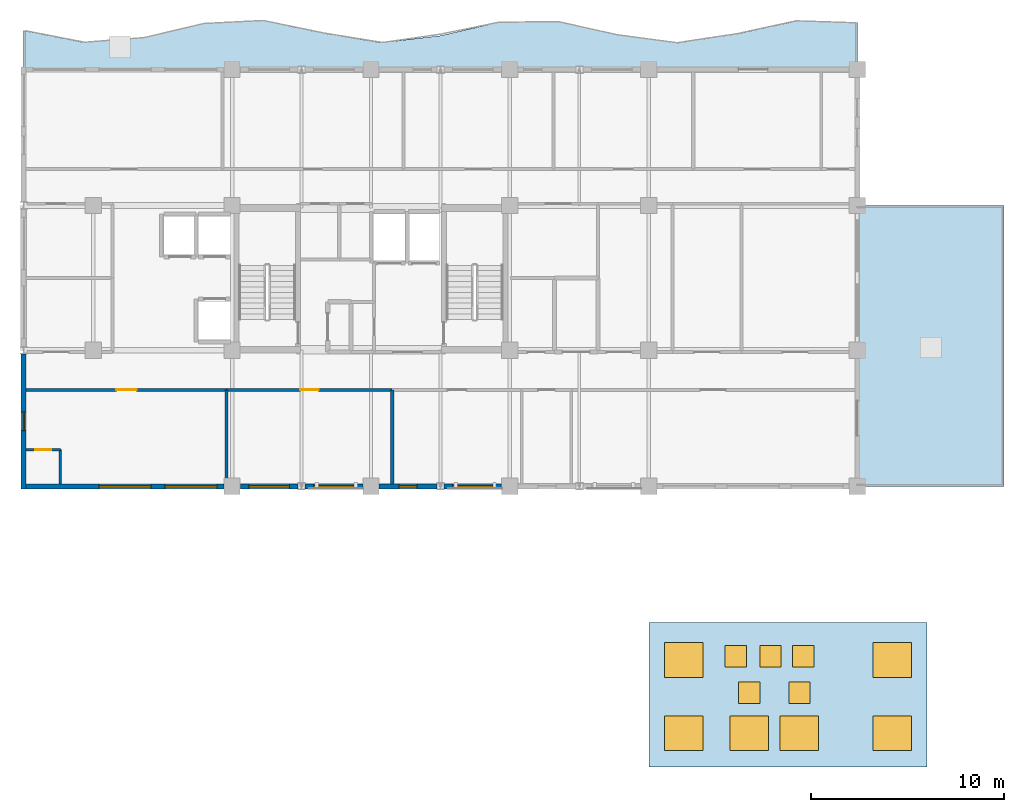
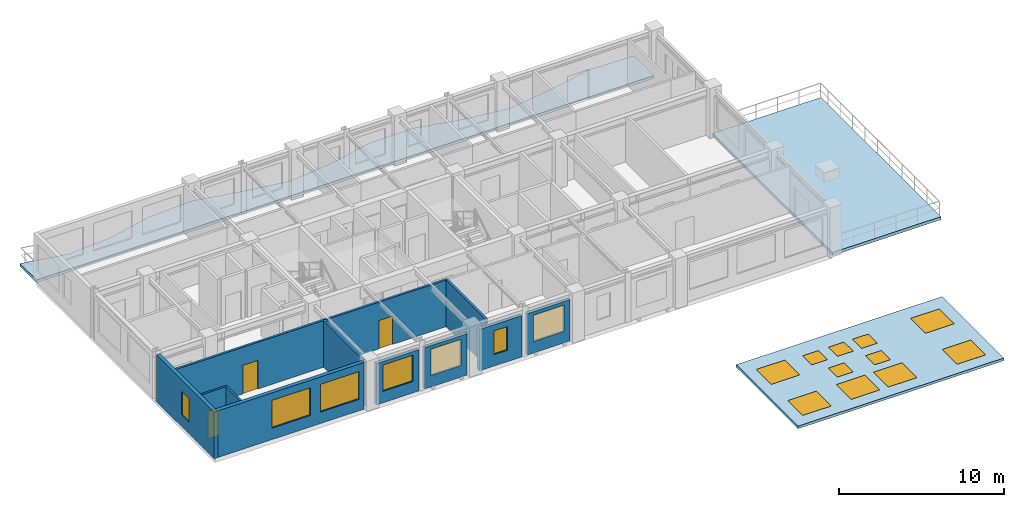
# One storey, part 2 of 8: 18 windows, 12 walls, 3 doors, 3 slabs, 21 openings.
"""IFC4 building model written with IfcOpenShell, lengths in metres."""

from ifc_helpers import new_model, si_unit, direction, frame, frame_2d, origin, origin_2d, place, context, subcontext, project, spatial, polyline, rectangle, outline, extrude, material, layer, layer_set, type_object, element, fill, save


model = new_model("IFC4")

# Units and contexts
model_context = context("Model", 3, precision=1e-05, world=origin(), true_north=direction((0.0, 1.0)))
body_context = subcontext(model_context, "Body", "Model", "MODEL_VIEW")
ifc_project = project(units=[si_unit("LENGTHUNIT", "METRE"), si_unit("AREAUNIT", "SQUARE_METRE"), si_unit("VOLUMEUNIT", "CUBIC_METRE"), si_unit("PLANEANGLEUNIT", "RADIAN"), si_unit("MASSUNIT", "GRAM", prefix="KILO")], contexts=[model_context])

# Site, building, storey
site_placement = place(None, origin())
site = spatial("IfcSite", under=ifc_project, at=site_placement, CompositionType="ELEMENT")
building_placement = place(site_placement, origin())
building = spatial("IfcBuilding", under=site, at=building_placement, Name="Kaliganga Portal Commons", CompositionType="ELEMENT")
storey_placement = place(building_placement, frame((0.0, 0.0, 249.89990234375)))
storey = spatial("IfcBuildingStorey", under=building, at=storey_placement, Name="L64", CompositionType="ELEMENT", Elevation=249.89990234375)

# Slab
ifc_material_1 = material(Name="Concrete C40/50", Category="concrete")
ifc_layer_1 = layer(ifc_material_1, 0.2099609375)
ifc_layer_set_1 = layer_set([ifc_layer_1], Name="Concrete C40/50")
slab_type_1 = type_object("IfcSlabType", Name="SLB-BALC-210", PredefinedType="FLOOR", material=ifc_layer_set_1)
slab_1_placement = place(storey_placement, frame((0.0, 0.0, -0.2099609375)))
element("IfcSlab", 1, at=slab_1_placement, inside=storey, type_object=slab_type_1, Name="Scalloped Tree-Planter Balcony Slab L64 balc_north", PredefinedType="FLOOR", context=body_context, shape_type="SweptSolid", body=[
    extrude(outline(polyline([(46.800048828125, 43.199951171875), (46.800048828125, 45.62158203125), (43.71435546875, 45.723388671875), (40.628662109375, 45.052734375), (37.54296875, 44.582763671875), (34.45703125, 44.9951171875), (31.371337890625, 45.691650390625), (28.28564453125, 45.662109375), (25.199951171875, 44.94921875), (22.1142578125, 44.587158203125), (19.028564453125, 45.10107421875), (15.94287109375, 45.74560546875), (12.857177734375, 45.58544921875), (9.771484375, 44.853271484375), (6.685791015625, 44.611083984375), (3.60009765625, 45.210205078125), (3.60009765625, 43.199951171875), (46.800048828125, 43.199951171875)])), origin(), (0.0, 0.0, 1.0), 0.2099609375),
])

# Slab, openings, windows
ifc_layer_2 = layer(ifc_material_1, 0.18994140625)
ifc_layer_set_2 = layer_set([ifc_layer_2], Name="Concrete C40/50")
slab_type_2 = type_object("IfcSlabType", Name="SLB-CANOPY-190", PredefinedType="ROOF", material=ifc_layer_set_2)
slab_2_placement = place(storey_placement, frame((0.0, 0.0, -0.419921875)))
slab_2 = element("IfcSlab", 2, at=slab_2_placement, inside=storey, type_object=slab_type_2, Name="Wing B Setback Core Roof Slab L64", PredefinedType="ROOF", context=body_context, shape_type="SweptSolid", body=[
    extrude(outline(polyline([(36.0, 7.050048828125), (50.39990234375, 7.050048828125), (50.39990234375, 14.550048828125), (36.0, 14.550048828125), (36.0, 7.050048828125)]), holes=[polyline([(36.800048828125, 7.89990234375), (36.800048828125, 9.699951171875), (38.800048828125, 9.699951171875), (38.800048828125, 7.89990234375), (36.800048828125, 7.89990234375)]), polyline([(36.800048828125, 11.699951171875), (36.800048828125, 13.5), (38.800048828125, 13.5), (38.800048828125, 11.699951171875), (36.800048828125, 11.699951171875)]), polyline([(40.199951171875, 7.89990234375), (40.199951171875, 9.699951171875), (42.199951171875, 9.699951171875), (42.199951171875, 7.89990234375), (40.199951171875, 7.89990234375)]), polyline([(42.800048828125, 7.89990234375), (42.800048828125, 9.699951171875), (44.800048828125, 9.699951171875), (44.800048828125, 7.89990234375), (42.800048828125, 7.89990234375)]), polyline([(47.60009765625, 7.89990234375), (47.60009765625, 9.699951171875), (49.60009765625, 9.699951171875), (49.60009765625, 7.89990234375), (47.60009765625, 7.89990234375)]), polyline([(47.60009765625, 11.699951171875), (47.60009765625, 13.5), (49.60009765625, 13.5), (49.60009765625, 11.699951171875), (47.60009765625, 11.699951171875)]), polyline([(39.949951171875, 12.25), (39.949951171875, 13.35009765625), (41.050048828125, 13.35009765625), (41.050048828125, 12.25), (39.949951171875, 12.25)]), polyline([(41.75, 12.25), (41.75, 13.35009765625), (42.85009765625, 13.35009765625), (42.85009765625, 12.25), (41.75, 12.25)]), polyline([(43.449951171875, 12.25), (43.449951171875, 13.35009765625), (44.550048828125, 13.35009765625), (44.550048828125, 12.25), (43.449951171875, 12.25)]), polyline([(40.64990234375, 10.35009765625), (40.64990234375, 11.449951171875), (41.75, 11.449951171875), (41.75, 10.35009765625), (40.64990234375, 10.35009765625)]), polyline([(43.25, 10.35009765625), (43.25, 11.449951171875), (44.35009765625, 11.449951171875), (44.35009765625, 10.35009765625), (43.25, 10.35009765625)])]), origin(), (0.0, 0.0, 1.0), 0.18994140625),
])
opening_1_placement = place(slab_2_placement, frame((37.800048828125, 8.800048828125, 0.0)))
opening_1 = element("IfcOpeningElement", 3, at=opening_1_placement, cuts=slab_2, Name="Opening SKL-01", PredefinedType="OPENING", context=body_context, shape_type="SweptSolid", body=[
    extrude(rectangle(XDim=2.0, YDim=1.800048828125, at=origin_2d()), origin(), (0.0, 0.0, 1.0), 0.18994140625),
])
opening_2_placement = place(slab_2_placement, frame((37.800048828125, 12.60009765625, 0.0)))
opening_2 = element("IfcOpeningElement", 4, at=opening_2_placement, cuts=slab_2, Name="Opening SKL-01", PredefinedType="OPENING", context=body_context, shape_type="SweptSolid", body=[
    extrude(rectangle(XDim=2.0, YDim=1.800048828125, at=origin_2d()), origin(), (0.0, 0.0, 1.0), 0.18994140625),
])
opening_3_placement = place(slab_2_placement, frame((41.199951171875, 8.800048828125, 0.0)))
opening_3 = element("IfcOpeningElement", 5, at=opening_3_placement, cuts=slab_2, Name="Opening SKL-01", PredefinedType="OPENING", context=body_context, shape_type="SweptSolid", body=[
    extrude(rectangle(XDim=2.0, YDim=1.800048828125, at=origin_2d()), origin(), (0.0, 0.0, 1.0), 0.18994140625),
])
opening_4_placement = place(slab_2_placement, frame((43.800048828125, 8.800048828125, 0.0)))
opening_4 = element("IfcOpeningElement", 6, at=opening_4_placement, cuts=slab_2, Name="Opening SKL-01", PredefinedType="OPENING", context=body_context, shape_type="SweptSolid", body=[
    extrude(rectangle(XDim=2.0, YDim=1.800048828125, at=origin_2d()), origin(), (0.0, 0.0, 1.0), 0.18994140625),
])
opening_5_placement = place(slab_2_placement, frame((48.60009765625, 8.800048828125, 0.0)))
opening_5 = element("IfcOpeningElement", 7, at=opening_5_placement, cuts=slab_2, Name="Opening SKL-01", PredefinedType="OPENING", context=body_context, shape_type="SweptSolid", body=[
    extrude(rectangle(XDim=2.0, YDim=1.800048828125, at=origin_2d()), origin(), (0.0, 0.0, 1.0), 0.18994140625),
])
opening_6_placement = place(slab_2_placement, frame((48.60009765625, 12.60009765625, 0.0)))
opening_6 = element("IfcOpeningElement", 8, at=opening_6_placement, cuts=slab_2, Name="Opening SKL-01", PredefinedType="OPENING", context=body_context, shape_type="SweptSolid", body=[
    extrude(rectangle(XDim=2.0, YDim=1.800048828125, at=origin_2d()), origin(), (0.0, 0.0, 1.0), 0.18994140625),
])
opening_7_placement = place(slab_2_placement, frame((40.5, 12.800048828125, 0.0)))
opening_7 = element("IfcOpeningElement", 9, at=opening_7_placement, cuts=slab_2, Name="Opening RHT-01", PredefinedType="OPENING", context=body_context, shape_type="SweptSolid", body=[
    extrude(rectangle(XDim=1.10009765625, YDim=1.10009765625, at=origin_2d()), origin(), (0.0, 0.0, 1.0), 0.18994140625),
])
opening_8_placement = place(slab_2_placement, frame((42.300048828125, 12.800048828125, 0.0)))
opening_8 = element("IfcOpeningElement", 10, at=opening_8_placement, cuts=slab_2, Name="Opening RHT-01", PredefinedType="OPENING", context=body_context, shape_type="SweptSolid", body=[
    extrude(rectangle(XDim=1.10009765625, YDim=1.10009765625, at=origin_2d()), origin(), (0.0, 0.0, 1.0), 0.18994140625),
])
opening_9_placement = place(slab_2_placement, frame((44.0, 12.800048828125, 0.0)))
opening_9 = element("IfcOpeningElement", 11, at=opening_9_placement, cuts=slab_2, Name="Opening RHT-01", PredefinedType="OPENING", context=body_context, shape_type="SweptSolid", body=[
    extrude(rectangle(XDim=1.10009765625, YDim=1.10009765625, at=origin_2d()), origin(), (0.0, 0.0, 1.0), 0.18994140625),
])
opening_10_placement = place(slab_2_placement, frame((41.199951171875, 10.89990234375, 0.0)))
opening_10 = element("IfcOpeningElement", 12, at=opening_10_placement, cuts=slab_2, Name="Opening RHT-01", PredefinedType="OPENING", context=body_context, shape_type="SweptSolid", body=[
    extrude(rectangle(XDim=1.10009765625, YDim=1.10009765625, at=origin_2d()), origin(), (0.0, 0.0, 1.0), 0.18994140625),
])
opening_11_placement = place(slab_2_placement, frame((43.800048828125, 10.89990234375, 0.0)))
opening_11 = element("IfcOpeningElement", 13, at=opening_11_placement, cuts=slab_2, Name="Opening RHT-01", PredefinedType="OPENING", context=body_context, shape_type="SweptSolid", body=[
    extrude(rectangle(XDim=1.10009765625, YDim=1.10009765625, at=origin_2d()), origin(), (0.0, 0.0, 1.0), 0.18994140625),
])
ifc_material_2 = material(Name="Thermally Broken Aluminium and Low-E Double Glazing", Category="aluminium")
window_type_1 = type_object("IfcWindowType", Name="WIN-ROOF-HATCH", PartitioningType="SINGLE_PANEL", PredefinedType="LIGHTDOME", material=ifc_material_2)
window_1_placement = place(opening_7_placement, frame((0.0, 0.0, 0.139892578125)))
window_1 = element("IfcWindow", 14, at=window_1_placement, inside=storey, type_object=window_type_1, Name="Wing B Roof Maintenance Access Hatch RHT-01", OverallHeight=1.10009765625, OverallWidth=1.10009765625, PartitioningType="SINGLE_PANEL", PredefinedType="LIGHTDOME", context=body_context, shape_type="SweptSolid", body=[
    extrude(rectangle(XDim=1.10009765625, YDim=1.10009765625, at=origin_2d()), origin(), (0.0, 0.0, 1.0), 0.050048828125),
])
fill(opening_7, window_1)
window_2_placement = place(opening_8_placement, frame((0.0, 0.0, 0.139892578125)))
window_2 = element("IfcWindow", 15, at=window_2_placement, inside=storey, type_object=window_type_1, Name="Wing B Roof Maintenance Access Hatch RHT-02", OverallHeight=1.10009765625, OverallWidth=1.10009765625, PartitioningType="SINGLE_PANEL", PredefinedType="LIGHTDOME", context=body_context, shape_type="SweptSolid", body=[
    extrude(rectangle(XDim=1.10009765625, YDim=1.10009765625, at=origin_2d()), origin(), (0.0, 0.0, 1.0), 0.050048828125),
])
fill(opening_8, window_2)
window_3_placement = place(opening_9_placement, frame((0.0, 0.0, 0.139892578125)))
window_3 = element("IfcWindow", 16, at=window_3_placement, inside=storey, type_object=window_type_1, Name="Wing B Roof Maintenance Access Hatch RHT-03", OverallHeight=1.10009765625, OverallWidth=1.10009765625, PartitioningType="SINGLE_PANEL", PredefinedType="LIGHTDOME", context=body_context, shape_type="SweptSolid", body=[
    extrude(rectangle(XDim=1.10009765625, YDim=1.10009765625, at=origin_2d()), origin(), (0.0, 0.0, 1.0), 0.050048828125),
])
fill(opening_9, window_3)
window_4_placement = place(opening_10_placement, frame((0.0, 0.0, 0.139892578125)))
window_4 = element("IfcWindow", 17, at=window_4_placement, inside=storey, type_object=window_type_1, Name="Wing B Roof Maintenance Access Hatch RHT-04", OverallHeight=1.10009765625, OverallWidth=1.10009765625, PartitioningType="SINGLE_PANEL", PredefinedType="LIGHTDOME", context=body_context, shape_type="SweptSolid", body=[
    extrude(rectangle(XDim=1.10009765625, YDim=1.10009765625, at=origin_2d()), origin(), (0.0, 0.0, 1.0), 0.050048828125),
])
fill(opening_10, window_4)
window_5_placement = place(opening_11_placement, frame((0.0, 0.0, 0.139892578125)))
window_5 = element("IfcWindow", 18, at=window_5_placement, inside=storey, type_object=window_type_1, Name="Wing B Roof Maintenance Access Hatch RHT-05", OverallHeight=1.10009765625, OverallWidth=1.10009765625, PartitioningType="SINGLE_PANEL", PredefinedType="LIGHTDOME", context=body_context, shape_type="SweptSolid", body=[
    extrude(rectangle(XDim=1.10009765625, YDim=1.10009765625, at=origin_2d()), origin(), (0.0, 0.0, 1.0), 0.050048828125),
])
fill(opening_11, window_5)
window_type_2 = type_object("IfcWindowType", Name="WIN-SKYLIGHT", PartitioningType="SINGLE_PANEL", PredefinedType="SKYLIGHT", material=ifc_material_2)
window_6_placement = place(opening_1_placement, frame((0.0, 0.0, 0.139892578125)))
window_6 = element("IfcWindow", 19, at=window_6_placement, inside=storey, type_object=window_type_2, Name="Wing B Atrium Skylight SKL-01", OverallHeight=1.800048828125, OverallWidth=2.0, PartitioningType="SINGLE_PANEL", PredefinedType="SKYLIGHT", context=body_context, shape_type="SweptSolid", body=[
    extrude(rectangle(XDim=2.0, YDim=1.800048828125, at=origin_2d()), origin(), (0.0, 0.0, 1.0), 0.050048828125),
])
fill(opening_1, window_6)
window_7_placement = place(opening_2_placement, frame((0.0, 0.0, 0.139892578125)))
window_7 = element("IfcWindow", 20, at=window_7_placement, inside=storey, type_object=window_type_2, Name="Wing B Atrium Skylight SKL-02", OverallHeight=1.800048828125, OverallWidth=2.0, PartitioningType="SINGLE_PANEL", PredefinedType="SKYLIGHT", context=body_context, shape_type="SweptSolid", body=[
    extrude(rectangle(XDim=2.0, YDim=1.800048828125, at=origin_2d()), origin(), (0.0, 0.0, 1.0), 0.050048828125),
])
fill(opening_2, window_7)
window_8_placement = place(opening_3_placement, frame((0.0, 0.0, 0.139892578125)))
window_8 = element("IfcWindow", 21, at=window_8_placement, inside=storey, type_object=window_type_2, Name="Wing B Atrium Skylight SKL-03", OverallHeight=1.800048828125, OverallWidth=2.0, PartitioningType="SINGLE_PANEL", PredefinedType="SKYLIGHT", context=body_context, shape_type="SweptSolid", body=[
    extrude(rectangle(XDim=2.0, YDim=1.800048828125, at=origin_2d()), origin(), (0.0, 0.0, 1.0), 0.050048828125),
])
fill(opening_3, window_8)
window_9_placement = place(opening_4_placement, frame((0.0, 0.0, 0.139892578125)))
window_9 = element("IfcWindow", 22, at=window_9_placement, inside=storey, type_object=window_type_2, Name="Wing B Atrium Skylight SKL-04", OverallHeight=1.800048828125, OverallWidth=2.0, PartitioningType="SINGLE_PANEL", PredefinedType="SKYLIGHT", context=body_context, shape_type="SweptSolid", body=[
    extrude(rectangle(XDim=2.0, YDim=1.800048828125, at=origin_2d()), origin(), (0.0, 0.0, 1.0), 0.050048828125),
])
fill(opening_4, window_9)
window_10_placement = place(opening_5_placement, frame((0.0, 0.0, 0.139892578125)))
window_10 = element("IfcWindow", 23, at=window_10_placement, inside=storey, type_object=window_type_2, Name="Wing B Atrium Skylight SKL-05", OverallHeight=1.800048828125, OverallWidth=2.0, PartitioningType="SINGLE_PANEL", PredefinedType="SKYLIGHT", context=body_context, shape_type="SweptSolid", body=[
    extrude(rectangle(XDim=2.0, YDim=1.800048828125, at=origin_2d()), origin(), (0.0, 0.0, 1.0), 0.050048828125),
])
fill(opening_5, window_10)
window_11_placement = place(opening_6_placement, frame((0.0, 0.0, 0.139892578125)))
window_11 = element("IfcWindow", 24, at=window_11_placement, inside=storey, type_object=window_type_2, Name="Wing B Atrium Skylight SKL-06", OverallHeight=1.800048828125, OverallWidth=2.0, PartitioningType="SINGLE_PANEL", PredefinedType="SKYLIGHT", context=body_context, shape_type="SweptSolid", body=[
    extrude(rectangle(XDim=2.0, YDim=1.800048828125, at=origin_2d()), origin(), (0.0, 0.0, 1.0), 0.050048828125),
])
fill(opening_6, window_11)

# Slab
ifc_layer_3 = layer(ifc_material_1, 0.219970703125)
ifc_layer_set_3 = layer_set([ifc_layer_3], Name="Concrete C40/50")
slab_type_3 = type_object("IfcSlabType", Name="SLB-TERR-220", PredefinedType="FLOOR", material=ifc_layer_set_3)
slab_3_placement = place(storey_placement, frame((0.0, 0.0, -0.219970703125)))
element("IfcSlab", 25, at=slab_3_placement, inside=storey, type_object=slab_type_3, Name="Wing B Sky-Garden Roof Terrace", PredefinedType="FLOOR", context=body_context, shape_type="SweptSolid", body=[
    extrude(outline(polyline([(46.800048828125, 21.60009765625), (54.39990234375, 21.60009765625), (54.39990234375, 36.14990234375), (46.800048828125, 36.14990234375), (46.800048828125, 21.60009765625)])), origin(), (0.0, 0.0, 1.0), 0.219970703125),
])

# Wall, openings, windows
ifc_material_3 = material(Name="Insulated Aluminium-Clad Spandrel Assembly", Category="aluminium")
ifc_layer_4 = layer(ifc_material_3, 0.260009765625)
ifc_layer_set_4 = layer_set([ifc_layer_4], Name="Insulated Aluminium-Clad Spandrel Assembly")
wall_type_1 = type_object("IfcWallType", Name="WL-EXT-SPAND-260", PredefinedType="STANDARD", material=ifc_layer_set_4)
wall_1_placement = place(storey_placement, frame((13.97412109375, 21.60009765625, 0.0), z_axis=(0.0, 0.0, 1.0), x_axis=(-1.0, 0.0, 0.0)))
wall_1 = element("IfcWall", 26, at=wall_1_placement, inside=storey, type_object=wall_type_1, Name="Exterior Envelope Wall L64 P1-E00-S1", PredefinedType="STANDARD", context=body_context, shape_type="SweptSolid", body=[
    extrude(rectangle(XDim=10.239013671875, YDim=0.260009765625, at=frame_2d((5.11962890625, 0.0))), origin(), (0.0, 0.0, 1.0), 3.455078125),
])
opening_12_placement = place(wall_1_placement, frame((0.3564453125, 0.0, 0.85009765625)))
opening_12 = element("IfcOpeningElement", 27, at=opening_12_placement, cuts=wall_1, Name="Opening W-07", PredefinedType="OPENING", context=body_context, shape_type="SweptSolid", body=[
    extrude(rectangle(XDim=2.699951171875, YDim=2.050048828125, at=frame_2d((1.35009765625, 1.02490234375))), frame((0.0, 0.14013671875, 0.0), z_axis=(0.0, -1.0, 0.0), x_axis=(1.0, 0.0, 0.0)), (0.0, 0.0, 1.0), 0.280029296875),
])
opening_13_placement = place(wall_1_placement, frame((3.76953125, 0.0, 0.85009765625)))
opening_13 = element("IfcOpeningElement", 28, at=opening_13_placement, cuts=wall_1, Name="Opening W-07", PredefinedType="OPENING", context=body_context, shape_type="SweptSolid", body=[
    extrude(rectangle(XDim=2.699951171875, YDim=2.050048828125, at=frame_2d((1.35009765625, 1.02490234375))), frame((0.0, 0.14013671875, 0.0), z_axis=(0.0, -1.0, 0.0), x_axis=(1.0, 0.0, 0.0)), (0.0, 0.0, 1.0), 0.280029296875),
])
window_type_3 = type_object("IfcWindowType", Name="WIN-LOUNGE-2700", PartitioningType="TRIPLE_PANEL_VERTICAL", PredefinedType="WINDOW", material=ifc_material_2)
window_12_placement = place(opening_12_placement, origin())
window_12 = element("IfcWindow", 29, at=window_12_placement, inside=storey, type_object=window_type_3, Name="Facade Window L64-P1E00S1-00", OverallHeight=2.050048828125, OverallWidth=2.699951171875, PartitioningType="SINGLE_PANEL", PredefinedType="WINDOW", context=body_context, shape_type="SweptSolid", body=[
    extrude(rectangle(XDim=2.699951171875, YDim=2.050048828125, at=frame_2d((1.35009765625, 1.02490234375))), frame((0.0, 0.030029296875, 0.0), z_axis=(0.0, -1.0, 0.0), x_axis=(1.0, 0.0, 0.0)), (0.0, 0.0, 1.0), 0.06005859375),
])
fill(opening_12, window_12)
window_13_placement = place(opening_13_placement, origin())
window_13 = element("IfcWindow", 30, at=window_13_placement, inside=storey, type_object=window_type_3, Name="Facade Window L64-P1E00S1-01", OverallHeight=2.050048828125, OverallWidth=2.699951171875, PartitioningType="SINGLE_PANEL", PredefinedType="WINDOW", context=body_context, shape_type="SweptSolid", body=[
    extrude(rectangle(XDim=2.699951171875, YDim=2.050048828125, at=frame_2d((1.35009765625, 1.02490234375))), frame((0.0, 0.030029296875, 0.0), z_axis=(0.0, -1.0, 0.0), x_axis=(1.0, 0.0, 0.0)), (0.0, 0.0, 1.0), 0.06005859375),
])
fill(opening_13, window_13)

# Wall, opening, window
wall_2_placement = place(storey_placement, frame((17.81201171875, 21.60009765625, 0.0), z_axis=(0.0, 0.0, 1.0), x_axis=(-1.0, 0.0, 0.0)))
wall_2 = element("IfcWall", 31, at=wall_2_placement, inside=storey, type_object=wall_type_1, Name="Exterior Envelope Wall L64 P1-E00-S2", PredefinedType="STANDARD", context=body_context, shape_type="SweptSolid", body=[
    extrude(rectangle(XDim=2.986083984375, YDim=0.260009765625, at=frame_2d((1.4931640625, 0.0))), origin(), (0.0, 0.0, 1.0), 3.05517578125),
])
opening_14_placement = place(wall_2_placement, frame((0.443115234375, 0.0, 0.85009765625)))
opening_14 = element("IfcOpeningElement", 32, at=opening_14_placement, cuts=wall_2, Name="Opening W-06", PredefinedType="OPENING", context=body_context, shape_type="SweptSolid", body=[
    extrude(rectangle(XDim=2.10009765625, YDim=1.949951171875, at=frame_2d((1.050048828125, 0.97509765625))), frame((0.0, 0.14013671875, 0.0), z_axis=(0.0, -1.0, 0.0), x_axis=(1.0, 0.0, 0.0)), (0.0, 0.0, 1.0), 0.280029296875),
])
window_type_4 = type_object("IfcWindowType", Name="WIN-PAN-2100", PartitioningType="DOUBLE_PANEL_VERTICAL", PredefinedType="WINDOW", material=ifc_material_2)
window_14_placement = place(opening_14_placement, origin())
window_14 = element("IfcWindow", 33, at=window_14_placement, inside=storey, type_object=window_type_4, Name="Facade Window L64-P1E00S2-00", OverallHeight=1.949951171875, OverallWidth=2.10009765625, PartitioningType="SINGLE_PANEL", PredefinedType="WINDOW", context=body_context, shape_type="SweptSolid", body=[
    extrude(rectangle(XDim=2.10009765625, YDim=1.949951171875, at=frame_2d((1.050048828125, 0.97509765625))), frame((0.0, 0.030029296875, 0.0), z_axis=(0.0, -1.0, 0.0), x_axis=(1.0, 0.0, 0.0)), (0.0, 0.0, 1.0), 0.06005859375),
])
fill(opening_14, window_14)

wall_3_placement = place(storey_placement, frame((21.174072265625, 21.60009765625, 0.0), z_axis=(0.0, 0.0, 1.0), x_axis=(-1.0, 0.0, 0.0)))
wall_3 = element("IfcWall", 34, at=wall_3_placement, inside=storey, type_object=wall_type_1, Name="Exterior Envelope Wall L64 P1-E00-S3", PredefinedType="STANDARD", context=body_context, shape_type="SweptSolid", body=[
    extrude(rectangle(XDim=2.986083984375, YDim=0.260009765625, at=frame_2d((1.4931640625, 0.0))), origin(), (0.0, 0.0, 1.0), 3.05517578125),
])
opening_15_placement = place(wall_3_placement, frame((0.443115234375, 0.0, 0.85009765625)))
opening_15 = element("IfcOpeningElement", 35, at=opening_15_placement, cuts=wall_3, Name="Opening W-06", PredefinedType="OPENING", context=body_context, shape_type="SweptSolid", body=[
    extrude(rectangle(XDim=2.10009765625, YDim=1.949951171875, at=frame_2d((1.050048828125, 0.97509765625))), frame((0.0, 0.14013671875, 0.0), z_axis=(0.0, -1.0, 0.0), x_axis=(1.0, 0.0, 0.0)), (0.0, 0.0, 1.0), 0.280029296875),
])
window_15_placement = place(opening_15_placement, origin())
window_15 = element("IfcWindow", 36, at=window_15_placement, inside=storey, type_object=window_type_4, Name="Facade Window L64-P1E00S3-00", OverallHeight=1.949951171875, OverallWidth=2.10009765625, PartitioningType="SINGLE_PANEL", PredefinedType="WINDOW", context=body_context, shape_type="SweptSolid", body=[
    extrude(rectangle(XDim=2.10009765625, YDim=1.949951171875, at=frame_2d((1.050048828125, 0.97509765625))), frame((0.0, 0.030029296875, 0.0), z_axis=(0.0, -1.0, 0.0), x_axis=(1.0, 0.0, 0.0)), (0.0, 0.0, 1.0), 0.06005859375),
])
fill(opening_15, window_15)

wall_4_placement = place(storey_placement, frame((25.011962890625, 21.60009765625, 0.0), z_axis=(0.0, 0.0, 1.0), x_axis=(-1.0, 0.0, 0.0)))
wall_4 = element("IfcWall", 37, at=wall_4_placement, inside=storey, type_object=wall_type_1, Name="Exterior Envelope Wall L64 P1-E00-S4", PredefinedType="STANDARD", context=body_context, shape_type="SweptSolid", body=[
    extrude(rectangle(XDim=2.986083984375, YDim=0.260009765625, at=frame_2d((1.4931640625, 0.0))), origin(), (0.0, 0.0, 1.0), 3.05517578125),
])
opening_16_placement = place(wall_4_placement, frame((1.01806640625, 0.0, 0.85009765625)))
opening_16 = element("IfcOpeningElement", 38, at=opening_16_placement, cuts=wall_4, Name="Opening W-04", PredefinedType="OPENING", context=body_context, shape_type="SweptSolid", body=[
    extrude(rectangle(XDim=0.949951171875, YDim=1.75, at=frame_2d((0.47509765625, 0.875))), frame((0.0, 0.14013671875, 0.0), z_axis=(0.0, -1.0, 0.0), x_axis=(1.0, 0.0, 0.0)), (0.0, 0.0, 1.0), 0.280029296875),
])
window_type_5 = type_object("IfcWindowType", Name="WIN-NARROW-950", PartitioningType="SINGLE_PANEL", PredefinedType="WINDOW", material=ifc_material_2)
window_16_placement = place(opening_16_placement, origin())
window_16 = element("IfcWindow", 39, at=window_16_placement, inside=storey, type_object=window_type_5, Name="Facade Window L64-P1E00S4-N0", OverallHeight=1.75, OverallWidth=0.949951171875, PartitioningType="SINGLE_PANEL", PredefinedType="WINDOW", context=body_context, shape_type="SweptSolid", body=[
    extrude(rectangle(XDim=0.949951171875, YDim=1.75, at=frame_2d((0.47509765625, 0.875))), frame((0.0, 0.030029296875, 0.0), z_axis=(0.0, -1.0, 0.0), x_axis=(1.0, 0.0, 0.0)), (0.0, 0.0, 1.0), 0.06005859375),
])
fill(opening_16, window_16)

wall_5_placement = place(storey_placement, frame((28.3740234375, 21.60009765625, 0.0), z_axis=(0.0, 0.0, 1.0), x_axis=(-1.0, 0.0, 0.0)))
wall_5 = element("IfcWall", 40, at=wall_5_placement, inside=storey, type_object=wall_type_1, Name="Exterior Envelope Wall L64 P1-E00-S5", PredefinedType="STANDARD", context=body_context, shape_type="SweptSolid", body=[
    extrude(rectangle(XDim=2.986083984375, YDim=0.260009765625, at=frame_2d((1.4931640625, 0.0))), origin(), (0.0, 0.0, 1.0), 3.05517578125),
])
opening_17_placement = place(wall_5_placement, frame((0.443115234375, 0.0, 0.85009765625)))
opening_17 = element("IfcOpeningElement", 41, at=opening_17_placement, cuts=wall_5, Name="Opening W-06", PredefinedType="OPENING", context=body_context, shape_type="SweptSolid", body=[
    extrude(rectangle(XDim=2.10009765625, YDim=1.949951171875, at=frame_2d((1.050048828125, 0.97509765625))), frame((0.0, 0.14013671875, 0.0), z_axis=(0.0, -1.0, 0.0), x_axis=(1.0, 0.0, 0.0)), (0.0, 0.0, 1.0), 0.280029296875),
])
window_17_placement = place(opening_17_placement, origin())
window_17 = element("IfcWindow", 42, at=window_17_placement, inside=storey, type_object=window_type_4, Name="Facade Window L64-P1E00S5-00", OverallHeight=1.949951171875, OverallWidth=2.10009765625, PartitioningType="SINGLE_PANEL", PredefinedType="WINDOW", context=body_context, shape_type="SweptSolid", body=[
    extrude(rectangle(XDim=2.10009765625, YDim=1.949951171875, at=frame_2d((1.050048828125, 0.97509765625))), frame((0.0, 0.030029296875, 0.0), z_axis=(0.0, -1.0, 0.0), x_axis=(1.0, 0.0, 0.0)), (0.0, 0.0, 1.0), 0.06005859375),
])
fill(opening_17, window_17)

wall_6_placement = place(storey_placement, frame((3.60009765625, 21.469970703125, 0.0), z_axis=(0.0, 0.0, 1.0), x_axis=(0.0, 1.0, 0.0)))
wall_6 = element("IfcWall", 43, at=wall_6_placement, inside=storey, type_object=wall_type_1, Name="Exterior Envelope Wall L64 P1-E03-S3", PredefinedType="STANDARD", context=body_context, shape_type="SweptSolid", body=[
    extrude(rectangle(XDim=6.992919921875, YDim=0.260009765625, at=frame_2d((3.49658203125, 0.0))), origin(), (0.0, 0.0, 1.0), 3.455078125),
])
opening_18_placement = place(wall_6_placement, frame((3.021484375, 0.0, 0.85009765625)))
opening_18 = element("IfcOpeningElement", 44, at=opening_18_placement, cuts=wall_6, Name="Opening W-04", PredefinedType="OPENING", context=body_context, shape_type="SweptSolid", body=[
    extrude(rectangle(XDim=0.949951171875, YDim=1.75, at=frame_2d((0.47509765625, 0.875))), frame((0.0, 0.14013671875, 0.0), z_axis=(0.0, -1.0, 0.0), x_axis=(1.0, 0.0, 0.0)), (0.0, 0.0, 1.0), 0.280029296875),
])
window_18_placement = place(opening_18_placement, origin())
window_18 = element("IfcWindow", 45, at=window_18_placement, inside=storey, type_object=window_type_5, Name="Facade Window L64-P1E03S3-N0", OverallHeight=1.75, OverallWidth=0.949951171875, PartitioningType="SINGLE_PANEL", PredefinedType="WINDOW", context=body_context, shape_type="SweptSolid", body=[
    extrude(rectangle(XDim=0.949951171875, YDim=1.75, at=frame_2d((0.47509765625, 0.875))), frame((0.0, 0.030029296875, 0.0), z_axis=(0.0, -1.0, 0.0), x_axis=(1.0, 0.0, 0.0)), (0.0, 0.0, 1.0), 0.06005859375),
])
fill(opening_18, window_18)

# Wall, opening, door
ifc_material_4 = material(Name="Fire-Rated Gypsum Board on Steel Stud", Category="steel")
ifc_layer_5 = layer(ifc_material_4, 0.14990234375)
ifc_layer_set_5 = layer_set([ifc_layer_5], Name="Fire-Rated Gypsum Board on Steel Stud")
wall_type_2 = type_object("IfcWallType", Name="WL-PART-CORR-150", PredefinedType="PARTITIONING", material=ifc_layer_set_5)
wall_7_placement = place(storey_placement, frame((3.73193359375, 26.60009765625, 0.0), z_axis=(0.0, 0.0, 1.0), x_axis=(1.0, 0.0, 0.0)))
wall_7 = element("IfcWall", 46, at=wall_7_placement, inside=storey, type_object=wall_type_2, Name="Interior Partition L64-004", PredefinedType="PARTITIONING", context=body_context, shape_type="SweptSolid", body=[
    extrude(rectangle(XDim=10.38818359375, YDim=0.14990234375, at=frame_2d((5.194091796875, 0.0))), origin(), (0.0, 0.0, 1.0), 3.455078125),
])
opening_19_placement = place(wall_7_placement, frame((4.6689453125, 0.0, 0.0)))
opening_19 = element("IfcOpeningElement", 47, at=opening_19_placement, cuts=wall_7, Name="Opening UD-02", PredefinedType="OPENING", context=body_context, shape_type="SweptSolid", body=[
    extrude(rectangle(XDim=1.050048828125, YDim=2.1201171875, at=frame_2d((0.52490234375, 1.06005859375))), frame((0.0, 0.0849609375, 0.0), z_axis=(0.0, -1.0, 0.0), x_axis=(1.0, 0.0, 0.0)), (0.0, 0.0, 1.0), 0.169921875),
])
ifc_material_5 = material(Name="Accessible Wide-Leaf Acoustic Fire Door", Category="wood")
door_type_1 = type_object("IfcDoorType", Name="DR-ACC-1050", OperationType="NOTDEFINED", PredefinedType="DOOR", material=ifc_material_5)
door_1_placement = place(opening_19_placement, origin())
door_1 = element("IfcDoor", 48, at=door_1_placement, inside=storey, type_object=door_type_1, Name="Interior Door L64-AS01", OperationType="SINGLE_SWING_LEFT", OverallHeight=2.1201171875, OverallWidth=1.050048828125, PredefinedType="DOOR", context=body_context, shape_type="SweptSolid", body=[
    extrude(rectangle(XDim=1.050048828125, YDim=2.1201171875, at=frame_2d((0.52490234375, 1.06005859375))), frame((0.0, 0.02490234375, 0.0), z_axis=(0.0, -1.0, 0.0), x_axis=(1.0, 0.0, 0.0)), (0.0, 0.0, 1.0), 0.050048828125),
])
fill(opening_19, door_1)

wall_8_placement = place(storey_placement, frame((14.1201171875, 26.60009765625, 0.0), z_axis=(0.0, 0.0, 1.0), x_axis=(1.0, 0.0, 0.0)))
wall_8 = element("IfcWall", 49, at=wall_8_placement, inside=storey, type_object=wall_type_2, Name="Interior Partition L64-007", PredefinedType="PARTITIONING", context=body_context, shape_type="SweptSolid", body=[
    extrude(rectangle(XDim=8.579833984375, YDim=0.14990234375, at=frame_2d((4.2900390625, 0.0))), origin(), (0.0, 0.0, 1.0), 3.455078125),
])
opening_20_placement = place(wall_8_placement, frame((3.81494140625, 0.0, 0.0)))
opening_20 = element("IfcOpeningElement", 50, at=opening_20_placement, cuts=wall_8, Name="Opening UD-01", PredefinedType="OPENING", context=body_context, shape_type="SweptSolid", body=[
    extrude(rectangle(XDim=0.949951171875, YDim=2.10009765625, at=frame_2d((0.47509765625, 1.050048828125))), frame((0.0, 0.0849609375, 0.0), z_axis=(0.0, -1.0, 0.0), x_axis=(1.0, 0.0, 0.0)), (0.0, 0.0, 1.0), 0.169921875),
])
ifc_material_6 = material(Name="Solid-Core Timber Acoustic Fire Door", Category="wood")
door_type_2 = type_object("IfcDoorType", Name="DR-UNIT-950", OperationType="NOTDEFINED", PredefinedType="DOOR", material=ifc_material_6)
door_2_placement = place(opening_20_placement, origin())
door_2 = element("IfcDoor", 51, at=door_2_placement, inside=storey, type_object=door_type_2, Name="Interior Door L64-AS02", OperationType="SINGLE_SWING_RIGHT", OverallHeight=2.10009765625, OverallWidth=0.949951171875, PredefinedType="DOOR", context=body_context, shape_type="SweptSolid", body=[
    extrude(rectangle(XDim=0.949951171875, YDim=2.10009765625, at=frame_2d((0.47509765625, 1.050048828125))), frame((0.0, 0.02490234375, 0.0), z_axis=(0.0, -1.0, 0.0), x_axis=(1.0, 0.0, 0.0)), (0.0, 0.0, 1.0), 0.050048828125),
])
fill(opening_20, door_2)

# Walls
ifc_material_7 = material(Name="Twin-Stud Acoustic Gypsum Partition", Category="gypsum")
ifc_layer_6 = layer(ifc_material_7, 0.1650390625)
ifc_layer_set_6 = layer_set([ifc_layer_6], Name="Twin-Stud Acoustic Gypsum Partition")
wall_type_3 = type_object("IfcWallType", Name="WL-PART-UNIT-165", PredefinedType="PARTITIONING", material=ifc_layer_set_6)
for number, where, z_axis, x_axis, name in (
    (52, (14.1201171875, 21.73193359375, 0.0), (0.0, 0.0, 1.0), (0.0, 1.0, 0.0), "Interior Partition L64-048"),
    (53, (22.699951171875, 21.73193359375, 0.0), (0.0, 0.0, 1.0), (0.0, 1.0, 0.0), "Interior Partition L64-049"),
):
    element("IfcWall", number, at=place(storey_placement, frame(where, z_axis=z_axis, x_axis=x_axis)), inside=storey, type_object=wall_type_3, Name=name, PredefinedType="PARTITIONING", context=body_context, shape_type="SweptSolid", body=[
        extrude(rectangle(XDim=4.8681640625, YDim=0.1650390625, at=frame_2d((2.43408203125, 0.0))), origin(), (0.0, 0.0, 1.0), 3.455078125),
    ])

# Wall, opening, door
ifc_material_8 = material(Name="Cement-Board Wet-Room Partition", Category="gypsum")
ifc_layer_7 = layer(ifc_material_8, 0.135009765625)
ifc_layer_set_7 = layer_set([ifc_layer_7], Name="Cement-Board Wet-Room Partition")
wall_type_4 = type_object("IfcWallType", Name="WL-PART-WET-135", PredefinedType="PARTITIONING", material=ifc_layer_set_7)
wall_9_placement = place(storey_placement, frame((3.73193359375, 23.5, 0.0), z_axis=(0.0, 0.0, 1.0), x_axis=(1.0, 0.0, 0.0)))
wall_9 = element("IfcWall", 54, at=wall_9_placement, inside=storey, type_object=wall_type_4, Name="Interior Partition L64-001", PredefinedType="PARTITIONING", context=body_context, shape_type="SweptSolid", body=[
    extrude(rectangle(XDim=1.76806640625, YDim=0.135009765625, at=frame_2d((0.884033203125, 0.0))), origin(), (0.0, 0.0, 1.0), 3.455078125),
])
opening_21_placement = place(wall_9_placement, frame((0.458984375, 0.0, 0.0)))
opening_21 = element("IfcOpeningElement", 55, at=opening_21_placement, cuts=wall_9, Name="Opening WD-01", PredefinedType="OPENING", context=body_context, shape_type="SweptSolid", body=[
    extrude(rectangle(XDim=0.85009765625, YDim=2.0400390625, at=frame_2d((0.425048828125, 1.02001953125))), frame((0.0, 0.07763671875, 0.0), z_axis=(0.0, -1.0, 0.0), x_axis=(1.0, 0.0, 0.0)), (0.0, 0.0, 1.0), 0.155029296875),
])
ifc_material_9 = material(Name="Moisture-Resistant Laminate Timber Door", Category="wood")
door_type_3 = type_object("IfcDoorType", Name="DR-WET-850", OperationType="NOTDEFINED", PredefinedType="DOOR", material=ifc_material_9)
door_3_placement = place(opening_21_placement, origin())
door_3 = element("IfcDoor", 56, at=door_3_placement, inside=storey, type_object=door_type_3, Name="Interior Door L64-AS01E", OperationType="SINGLE_SWING_LEFT", OverallHeight=2.0400390625, OverallWidth=0.85009765625, PredefinedType="DOOR", context=body_context, shape_type="SweptSolid", body=[
    extrude(rectangle(XDim=0.85009765625, YDim=2.0400390625, at=frame_2d((0.425048828125, 1.02001953125))), frame((0.0, 0.02490234375, 0.0), z_axis=(0.0, -1.0, 0.0), x_axis=(1.0, 0.0, 0.0)), (0.0, 0.0, 1.0), 0.050048828125),
])
fill(opening_21, door_3)

# Wall
wall_10_placement = place(storey_placement, frame((5.5, 21.73193359375, 0.0), z_axis=(0.0, 0.0, 1.0), x_axis=(0.0, 1.0, 0.0)))
element("IfcWall", 57, at=wall_10_placement, inside=storey, type_object=wall_type_4, Name="Interior Partition L64-002", PredefinedType="PARTITIONING", context=body_context, shape_type="SweptSolid", body=[
    extrude(rectangle(XDim=1.76806640625, YDim=0.135009765625, at=frame_2d((0.884033203125, 0.0))), origin(), (0.0, 0.0, 1.0), 3.455078125),
])

save(model, "model.ifc")
